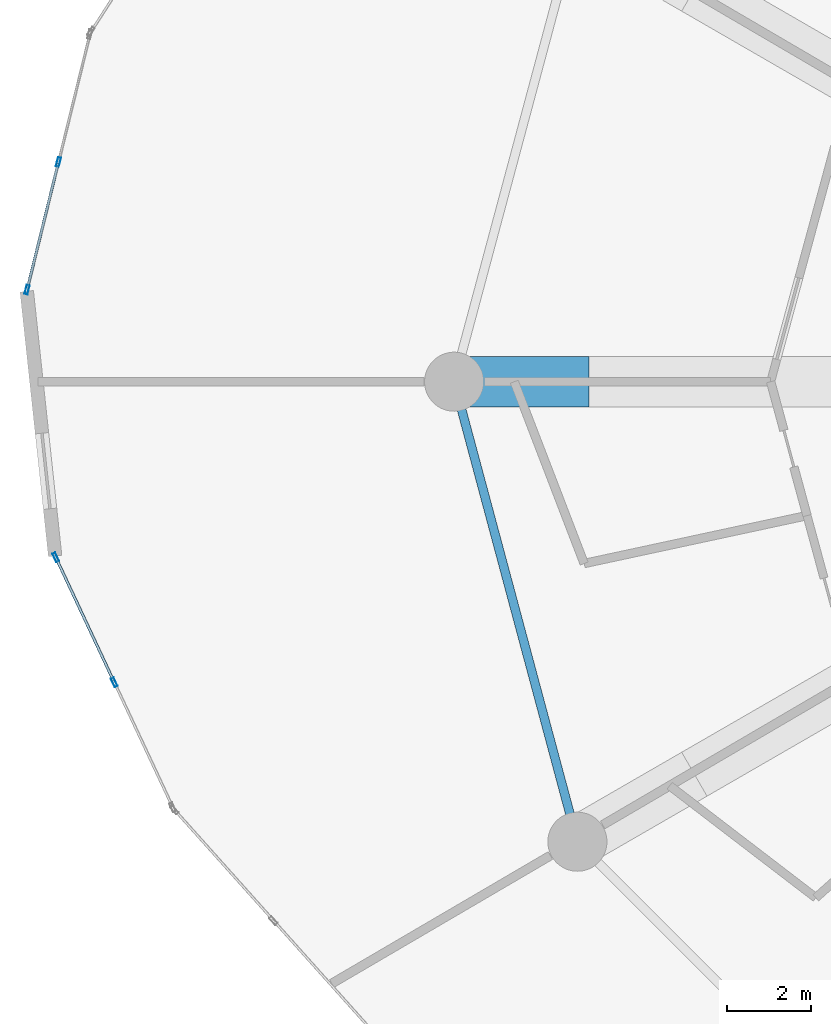
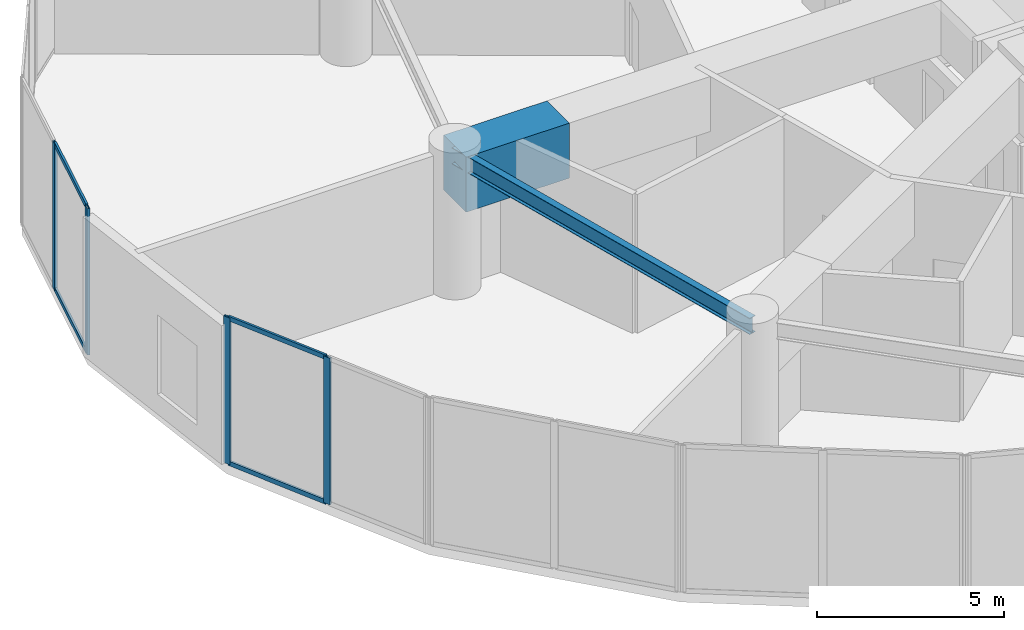
# One storey, part 7 of 27: 8 members, 2 beams, 2 elements without a shape of their own.
"""IFC4 building model written with IfcOpenShell, lengths in metres."""

from ifc_helpers import new_model, si_unit, direction, frame, origin, origin_2d, place, context, subcontext, project, spatial, rectangle, hollow_rectangle, i_section, extrude, source, transform, mapped, material, layer, layer_set, material_profile, profile_set, type_object, element, aggregate, save


model = new_model("IFC4")

# Units and contexts
model_context = context("Model", 3, precision=1e-05, world=origin(), true_north=direction((0.0, 1.0)))
body_context = subcontext(model_context, "Body", "Model", "MODEL_VIEW")
ifc_project = project(units=[si_unit("LENGTHUNIT", "METRE"), si_unit("AREAUNIT", "SQUARE_METRE"), si_unit("VOLUMEUNIT", "CUBIC_METRE"), si_unit("PLANEANGLEUNIT", "RADIAN"), si_unit("MASSUNIT", "GRAM", prefix="KILO")], contexts=[model_context])

# Site, building, storey
site_placement = place(None, origin())
site = spatial("IfcSite", under=ifc_project, at=site_placement, CompositionType="ELEMENT")
building_placement = place(site_placement, origin())
building = spatial("IfcBuilding", under=site, at=building_placement, Name="Solvirekh Grand Hotel", CompositionType="ELEMENT")
storey_placement = place(building_placement, frame((0.0, 0.0, 23.60009765625)))
storey = spatial("IfcBuildingStorey", under=building, at=storey_placement, Name="L04", CompositionType="ELEMENT", Elevation=23.60009765625)

# Beams
ifc_material_1 = material(Name="Steel S355", Category="steel")
ifc_material_profile_1 = material_profile(ifc_material_1, i_section(OverallWidth=0.208984375, OverallDepth=0.532958984375, WebThickness=0.010009765625, FlangeThickness=0.014892578125, FilletRadius=0.013916015625, at=origin_2d()), Name="W530X92")
ifc_profile_set_1 = profile_set([ifc_material_profile_1], Name="Steel S355")
beam_type_1 = type_object("IfcBeamType", Name="Spandrel_Ring_W530", PredefinedType="SPANDREL", material=ifc_profile_set_1)
beam_1_placement = place(storey_placement, frame((-21.800048828125, 0.0, 4.27294921875), z_axis=(0.258862249378, -0.965914248703, 0.0), x_axis=(0.965914248703, 0.258862249378, 0.0)))
element("IfcBeam", 1, at=beam_1_placement, inside=storey, type_object=beam_type_1, Name="L04 perimeter spandrel beam 7", PredefinedType="SPANDREL", context=body_context, shape_type="SweptSolid", body=[
    extrude(i_section(OverallWidth=0.208984375, OverallDepth=0.532958984375, WebThickness=0.010009765625, FlangeThickness=0.014892578125, FilletRadius=0.013916015625, at=origin_2d()), origin(), (0.0, 0.0, 1.0), 11.284423828125),
])
ifc_material_2 = material(Name="Concrete C60/75", Category="concrete")
ifc_material_profile_2 = material_profile(ifc_material_2, rectangle(XDim=1.199951171875, YDim=1.800048828125, at=origin_2d()), Name="RC GIRDER 1200X1800")
ifc_profile_set_2 = profile_set([ifc_material_profile_2], Name="Concrete C60/75")
beam_type_2 = type_object("IfcBeamType", Name="TransferGirder_RC1800", PredefinedType="USERDEFINED", material=ifc_profile_set_2)
beam_2_placement = place(storey_placement, frame((-18.60009765625, 0.0, 3.639892578125), z_axis=(-1.0, 0.0, 0.0), x_axis=(0.0, -1.0, 0.0)))
element("IfcBeam", 2, at=beam_2_placement, inside=storey, type_object=beam_type_2, Name="L04 outer radial transfer girder 7B", ObjectType="TRANSFER GIRDER", PredefinedType="USERDEFINED", context=body_context, shape_type="SweptSolid", body=[
    extrude(rectangle(XDim=1.199951171875, YDim=1.800048828125, at=origin_2d()), origin(), (0.0, 0.0, 1.0), 3.199951171875),
])

# Curtain wall, members
ifc_material_3 = material(Name="Anodized Bronze Aluminium 6063-T6", Category="aluminium")
ifc_layer = layer(ifc_material_3, 0.219970703125)
ifc_layer_set = layer_set([ifc_layer], Name="Anodized Bronze Aluminium 6063-T6")
curtain_wall_type = type_object("IfcCurtainWallType", Name="CW_Sys1_PodiumBronzeUnitised", PredefinedType="NOTDEFINED", material=ifc_layer_set)
curtain_wall_1_placement = place(storey_placement, origin())
curtain_wall_1 = element("IfcCurtainWall", 3, at=curtain_wall_1_placement, inside=storey, type_object=curtain_wall_type, Name="L04 unitised bronze-glass curtain wall CW-L04-C14", PredefinedType="NOTDEFINED")
ifc_material_profile_3 = material_profile(ifc_material_3, hollow_rectangle(XDim=0.06494140625, YDim=0.14990234375, WallThickness=0.0048828125, at=origin_2d()), Name="ALU RHS 150X65X5")
ifc_profile_set_3 = profile_set([ifc_material_profile_3], Name="Anodized Bronze Aluminium 6063-T6")
member_type_1 = type_object("IfcMemberType", Name="CWTransom_Sys1", PredefinedType="USERDEFINED", material=ifc_profile_set_3)
shared_shape_1 = source(origin(), body_context, "Body", "SweptSolid", [
    extrude(hollow_rectangle(XDim=0.06494140625, YDim=0.14990234375, WallThickness=0.0048828125, at=origin_2d()), origin(), (0.0, 0.0, 1.0), 3.193603515625),
])
member_1_placement = place(storey_placement, frame((-31.22412109375, -4.196044921875, 0.032470703125), z_axis=(0.423759974185, -0.905774521765, 0.0), x_axis=(0.905774521765, 0.423759974185, 0.0)))
member_1 = element("IfcMember", 4, at=member_1_placement, type_object=member_type_1, Name="U01 transom 1.1", ObjectType="TRANSOM", PredefinedType="USERDEFINED", context=body_context, shape_type="MappedRepresentation", body=[
    mapped(shared_shape_1, transform((0.0, 0.0, 0.0), x_axis=(1.0, 0.0, 0.0), y_axis=(0.0, 1.0, 0.0), z_axis=(0.0, 0.0, 1.0), scale=1.0)),
])
member_2_placement = place(storey_placement, frame((-31.22412109375, -4.196044921875, 4.767333984375), z_axis=(0.423759974185, -0.905774521765, 0.0), x_axis=(0.905774521765, 0.423759974185, 0.0)))
member_2 = element("IfcMember", 5, at=member_2_placement, type_object=member_type_1, Name="U01 transom 1.2", ObjectType="TRANSOM", PredefinedType="USERDEFINED", context=body_context, shape_type="MappedRepresentation", body=[
    mapped(shared_shape_1, transform((0.0, 0.0, 0.0), x_axis=(1.0, 0.0, 0.0), y_axis=(0.0, 1.0, 0.0), z_axis=(0.0, 0.0, 1.0), scale=1.0)),
])

curtain_wall_2_placement = place(storey_placement, origin())
curtain_wall_2 = element("IfcCurtainWall", 6, at=curtain_wall_2_placement, inside=storey, type_object=curtain_wall_type, Name="L04 unitised bronze-glass curtain wall CW-L04-C12", PredefinedType="NOTDEFINED")
shared_shape_2 = source(origin(), body_context, "Body", "SweptSolid", [
    extrude(hollow_rectangle(XDim=0.06494140625, YDim=0.14990234375, WallThickness=0.0048828125, at=origin_2d()), origin(), (0.0, 0.0, 1.0), 3.041015625),
])
member_3_placement = place(storey_placement, frame((-31.18505859375, 5.169189453125, 0.032470703125), z_axis=(-0.238434409459, -0.971158603106, 0.0), x_axis=(0.971158603106, -0.238434409459, 0.0)))
member_3 = element("IfcMember", 7, at=member_3_placement, type_object=member_type_1, Name="U01 transom 2.1", ObjectType="TRANSOM", PredefinedType="USERDEFINED", context=body_context, shape_type="MappedRepresentation", body=[
    mapped(shared_shape_2, transform((0.0, 0.0, 0.0), x_axis=(1.0, 0.0, 0.0), y_axis=(0.0, 1.0, 0.0), z_axis=(0.0, 0.0, 1.0), scale=1.0)),
])
member_4_placement = place(storey_placement, frame((-31.18505859375, 5.169189453125, 4.767333984375), z_axis=(-0.238434409459, -0.971158603106, 0.0), x_axis=(0.971158603106, -0.238434409459, 0.0)))
member_4 = element("IfcMember", 8, at=member_4_placement, type_object=member_type_1, Name="U01 transom 2.2", ObjectType="TRANSOM", PredefinedType="USERDEFINED", context=body_context, shape_type="MappedRepresentation", body=[
    mapped(shared_shape_2, transform((0.0, 0.0, 0.0), x_axis=(1.0, 0.0, 0.0), y_axis=(0.0, 1.0, 0.0), z_axis=(0.0, 0.0, 1.0), scale=1.0)),
])
ifc_material_profile_4 = material_profile(ifc_material_3, hollow_rectangle(XDim=0.074951171875, YDim=0.219970703125, WallThickness=0.006103515625, at=origin_2d()), Name="ALU RHS 220X75X6")
ifc_profile_set_4 = profile_set([ifc_material_profile_4], Name="Anodized Bronze Aluminium 6063-T6")
member_type_2 = type_object("IfcMemberType", Name="CWMullion_Sys1", PredefinedType="MULLION", material=ifc_profile_set_4)
shared_shape_3 = source(origin(), body_context, "Body", "SweptSolid", [
    extrude(hollow_rectangle(XDim=0.074951171875, YDim=0.219970703125, WallThickness=0.006103515625, at=origin_2d()), origin(), (0.0, 0.0, 1.0), 4.7998046875),
])
member_5_placement = place(storey_placement, frame((-31.176025390625, 5.20556640625, 0.0), z_axis=(0.0, 0.0, 1.0), x_axis=(0.971150596168, -0.238467019865, 0.0)))
member_5 = element("IfcMember", 9, at=member_5_placement, type_object=member_type_2, Name="U01 mullion 2", PredefinedType="MULLION", context=body_context, shape_type="MappedRepresentation", body=[
    mapped(shared_shape_3, transform((0.0, 0.0, 0.0), x_axis=(1.0, 0.0, 0.0), y_axis=(0.0, 1.0, 0.0), z_axis=(0.0, 0.0, 1.0), scale=1.0)),
])
member_6_placement = place(storey_placement, frame((-31.9189453125, 2.179443359375, 0.0), z_axis=(0.0, 0.0, 1.0), x_axis=(0.971150596168, -0.238467019865, 0.0)))
member_6 = element("IfcMember", 10, at=member_6_placement, type_object=member_type_2, Name="U01 mullion 3", PredefinedType="MULLION", context=body_context, shape_type="MappedRepresentation", body=[
    mapped(shared_shape_3, transform((0.0, 0.0, 0.0), x_axis=(1.0, 0.0, 0.0), y_axis=(0.0, 1.0, 0.0), z_axis=(0.0, 0.0, 1.0), scale=1.0)),
])
aggregate(curtain_wall_2, [member_5, member_6, member_3, member_4])

# Member
member_7_placement = place(storey_placement, frame((-31.239990234375, -4.161865234375, 0.0), z_axis=(0.0, 0.0, 1.0), x_axis=(0.905769284049, 0.42377116947, 0.0)))
member_7 = element("IfcMember", 11, at=member_7_placement, type_object=member_type_2, Name="U01 mullion 1", PredefinedType="MULLION", context=body_context, shape_type="MappedRepresentation", body=[
    mapped(shared_shape_3, transform((0.0, 0.0, 0.0), x_axis=(1.0, 0.0, 0.0), y_axis=(0.0, 1.0, 0.0), z_axis=(0.0, 0.0, 1.0), scale=1.0)),
])

member_8_placement = place(storey_placement, frame((-29.85498046875, -7.12255859375, 0.0), z_axis=(0.0, 0.0, 1.0), x_axis=(0.905769284049, 0.42377116947, 0.0)))
member_8 = element("IfcMember", 12, at=member_8_placement, type_object=member_type_2, Name="U01 mullion 2", PredefinedType="MULLION", context=body_context, shape_type="MappedRepresentation", body=[
    mapped(shared_shape_3, transform((0.0, 0.0, 0.0), x_axis=(1.0, 0.0, 0.0), y_axis=(0.0, 1.0, 0.0), z_axis=(0.0, 0.0, 1.0), scale=1.0)),
])

aggregate(curtain_wall_1, [member_7, member_8, member_1, member_2])

save(model, "model.ifc")
